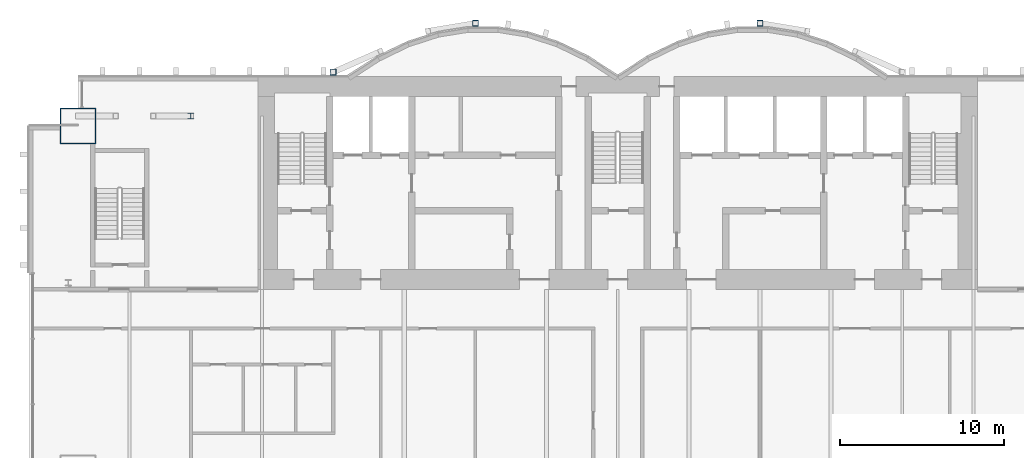
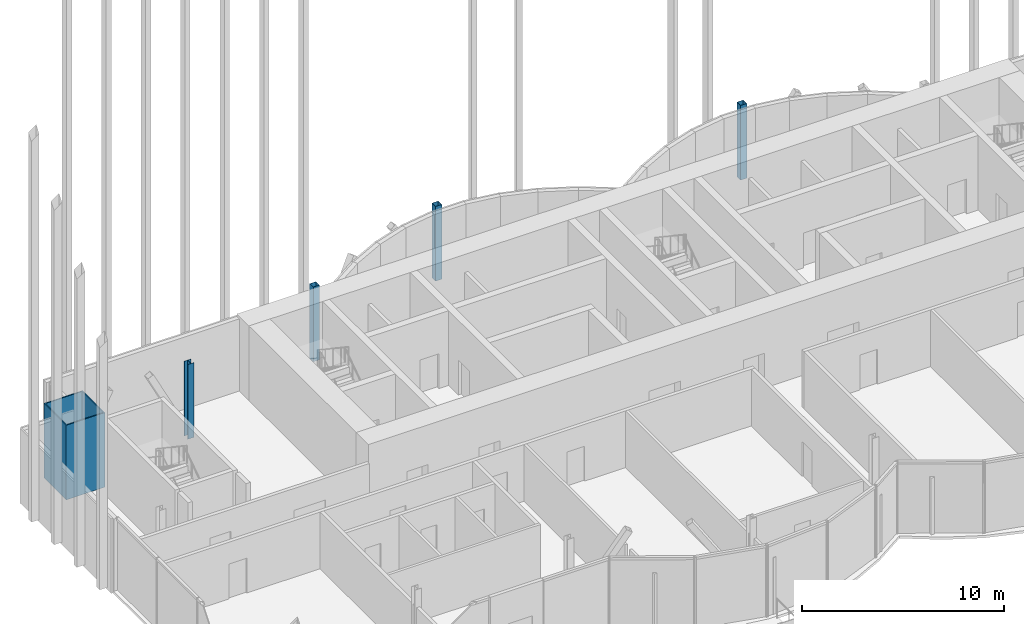
# One storey, part 3 of 22: 5 columns.
"""IFC4 building model written with IfcOpenShell, lengths in metres."""

from ifc_helpers import new_model, si_unit, direction, frame, origin, origin_2d, place, context, subcontext, project, spatial, hollow_rectangle, i_section, extrude, material, material_profile, profile_set, type_object, element, save


model = new_model("IFC4")

# Units and contexts
model_context = context("Model", 3, precision=1e-05, world=origin(), true_north=direction((0.0, 1.0)))
body_context = subcontext(model_context, "Body", "Model", "MODEL_VIEW")
ifc_project = project(units=[si_unit("LENGTHUNIT", "METRE"), si_unit("AREAUNIT", "SQUARE_METRE"), si_unit("VOLUMEUNIT", "CUBIC_METRE"), si_unit("PLANEANGLEUNIT", "RADIAN"), si_unit("MASSUNIT", "GRAM", prefix="KILO")], contexts=[model_context])

# Site, building, storey
site_placement = place(None, origin())
site = spatial("IfcSite", under=ifc_project, at=site_placement, CompositionType="ELEMENT")
building_placement = place(site_placement, origin())
building = spatial("IfcBuilding", under=site, at=building_placement, Name="Bicima Exchange Tower", CompositionType="ELEMENT")
storey_placement = place(building_placement, frame((0.0, 0.0, 293.0)))
storey = spatial("IfcBuildingStorey", under=building, at=storey_placement, Name="L66", CompositionType="ELEMENT", Elevation=293.0)

# Columns
ifc_material_1 = material(Name="Steel ASTM A572 Gr 50", Category="steel")
ifc_material_profile_1 = material_profile(ifc_material_1, hollow_rectangle(XDim=2.199951171875, YDim=2.199951171875, WallThickness=0.06005859375, at=origin_2d()))
ifc_profile_set_1 = profile_set([ifc_material_profile_1], Name="Steel ASTM A572 Gr 50")
column_type_1 = type_object("IfcColumnType", Name="Mega column BOX 2200x2200x60", PredefinedType="COLUMN", material=ifc_profile_set_1)
column_1_placement = place(storey_placement, frame((-33.0, -3.0, 0.0), z_axis=(0.0, 0.0, 1.0), x_axis=(1.0, 0.0, 0.0)))
element("IfcColumn", 1, at=column_1_placement, inside=storey, type_object=column_type_1, Name="Mega column mega-33.0r", PredefinedType="COLUMN", context=body_context, shape_type="SweptSolid", body=[
    extrude(hollow_rectangle(XDim=2.199951171875, YDim=2.199951171875, WallThickness=0.06005859375, at=origin_2d()), origin(), (0.0, 0.0, 1.0), 4.5),
])
ifc_material_2 = material(Name="Steel ASTM A992 Gr 50", Category="steel")
ifc_material_profile_2 = material_profile(ifc_material_2, i_section(OverallWidth=0.368408203125, OverallDepth=0.355712890625, WebThickness=0.01123046875, FlangeThickness=0.01806640625, at=origin_2d()))
ifc_profile_set_2 = profile_set([ifc_material_profile_2], Name="Steel ASTM A992 Gr 50")
column_type_2 = type_object("IfcColumnType", Name="Perimeter column W14x90", PredefinedType="COLUMN", material=ifc_profile_set_2)
column_2_placement = place(storey_placement, frame((-26.10009765625, -2.39990234375, 0.0), z_axis=(0.0, 0.0, 1.0), x_axis=(1.0, 0.0, 0.0)))
element("IfcColumn", 2, at=column_2_placement, inside=storey, type_object=column_type_2, Name="Perimeter column grav-26.1r", PredefinedType="COLUMN", context=body_context, shape_type="SweptSolid", body=[
    extrude(i_section(OverallWidth=0.368408203125, OverallDepth=0.355712890625, WebThickness=0.01123046875, FlangeThickness=0.01806640625, at=origin_2d()), origin(), (0.0, 0.0, 1.0), 4.5),
])
ifc_material_profile_3 = material_profile(ifc_material_1, hollow_rectangle(XDim=0.355712890625, YDim=0.355712890625, WallThickness=0.01171875, at=origin_2d()))
ifc_profile_set_3 = profile_set([ifc_material_profile_3], Name="Steel ASTM A572 Gr 50")
column_type_3 = type_object("IfcColumnType", Name="Rear pilaster HSS14x14x1/2", PredefinedType="COLUMN", material=ifc_profile_set_3)
for number, where, z_axis, x_axis, name in (
    (3, (-8.699951171875, 3.26904296875, 0.0), (0.0, 0.0, 1.0), (1.0, 0.0, 0.0), "Rear pilaster rexo-8.7r"),
    (4, (-17.39990234375, 0.278076171875, 0.0), (0.0, 0.0, 1.0), (1.0, 0.0, 0.0), "Rear pilaster rexo-17.4r"),
    (5, (8.699951171875, 3.26904296875, 0.0), (0.0, 0.0, 1.0), (1.0, 0.0, 0.0), "Rear pilaster rexo+8.7r"),
):
    element("IfcColumn", number, at=place(storey_placement, frame(where, z_axis=z_axis, x_axis=x_axis)), inside=storey, type_object=column_type_3, Name=name, PredefinedType="COLUMN", context=body_context, shape_type="SweptSolid", body=[
        extrude(hollow_rectangle(XDim=0.355712890625, YDim=0.355712890625, WallThickness=0.01171875, at=origin_2d()), origin(), (0.0, 0.0, 1.0), 4.5),
    ])

save(model, "model.ifc")
